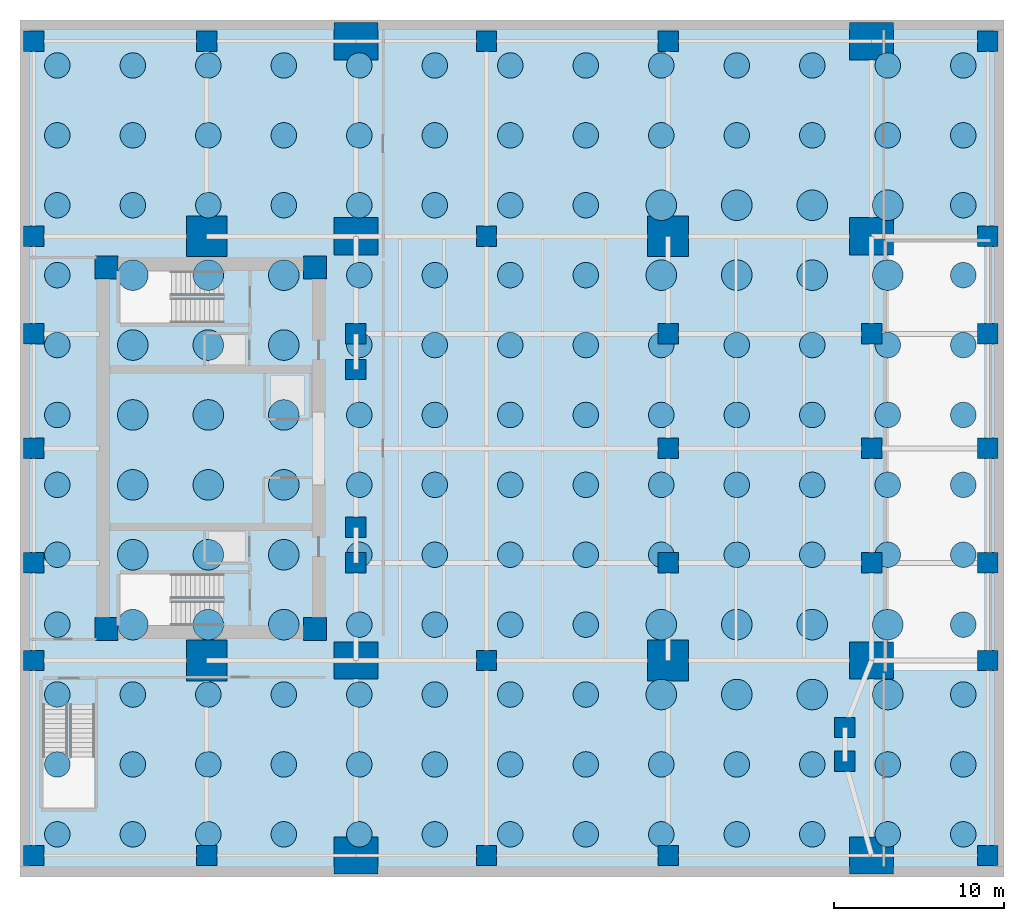
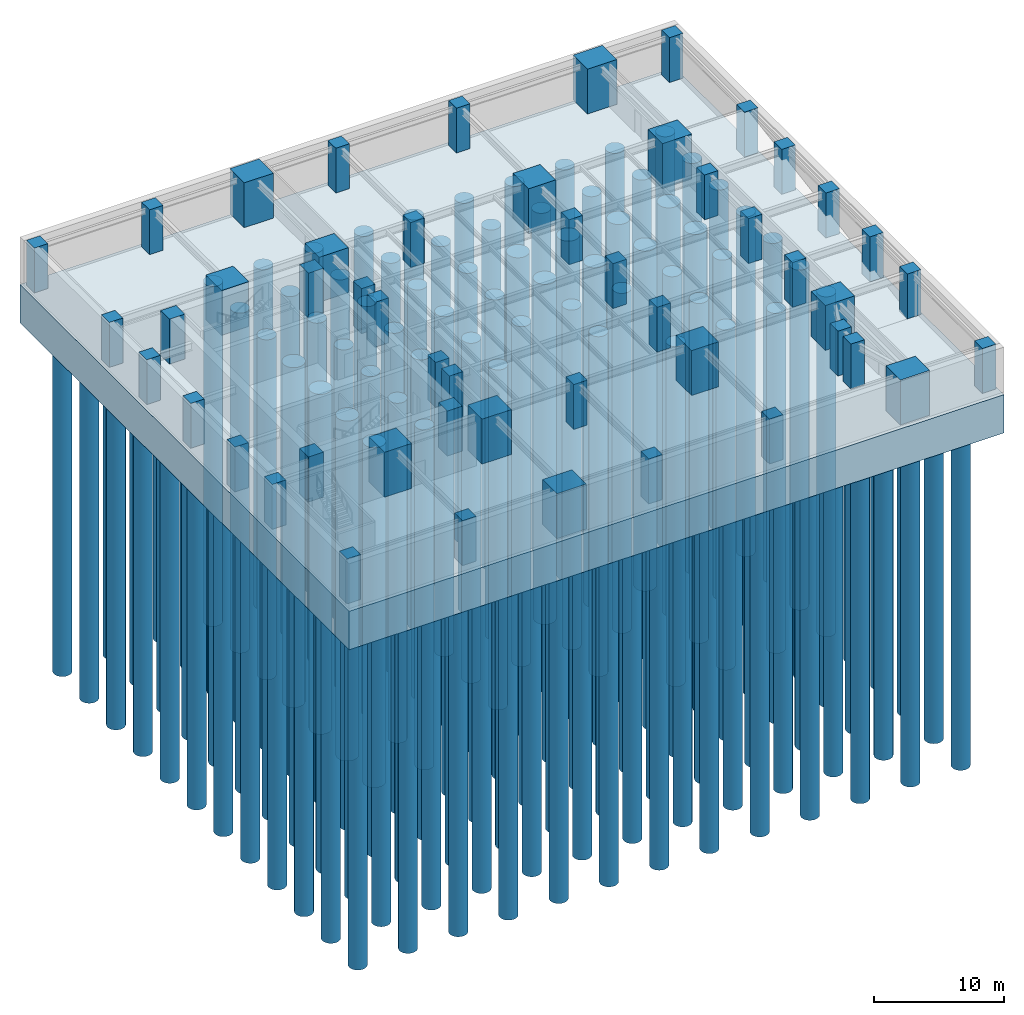
# One storey, part 1 of 6: 156 piles, 50 columns, 1 footing.
"""IFC4 building model written with IfcOpenShell, lengths in metres."""

from ifc_helpers import new_model, si_unit, direction, frame, origin, origin_2d, place, context, subcontext, project, spatial, polyline, rectangle, circle, outline, extrude, material, layer, layer_set, material_profile, profile_set, type_object, element, save


model = new_model("IFC4")

# Units and contexts
model_context = context("Model", 3, precision=1e-05, world=origin(), true_north=direction((0.0, 1.0)))
body_context = subcontext(model_context, "Body", "Model", "MODEL_VIEW")
ifc_project = project(units=[si_unit("LENGTHUNIT", "METRE"), si_unit("AREAUNIT", "SQUARE_METRE"), si_unit("VOLUMEUNIT", "CUBIC_METRE"), si_unit("PLANEANGLEUNIT", "RADIAN"), si_unit("MASSUNIT", "GRAM", prefix="KILO")], contexts=[model_context])

# Site, building, storey
site_placement = place(None, origin())
site = spatial("IfcSite", under=ifc_project, at=site_placement, CompositionType="ELEMENT")
building_placement = place(site_placement, origin())
building = spatial("IfcBuilding", under=site, at=building_placement, Name="Kinhvarn Gate Tower", CompositionType="ELEMENT")
storey_placement = place(building_placement, frame((0.0, 0.0, -13.199951171875)))
storey = spatial("IfcBuildingStorey", under=building, at=storey_placement, Name="B03", CompositionType="ELEMENT", Elevation=-13.199951171875)

# Footing
ifc_material_1 = material(Name="Concrete C50/60", Category="concrete")
ifc_layer = layer(ifc_material_1, 3.60009765625)
ifc_layer_set = layer_set([ifc_layer], Name="Concrete C50/60")
footing_type = type_object("IfcFootingType", Name="FTG-RAFT-3600", PredefinedType="PILE_CAP", material=ifc_layer_set)
footing_placement = place(storey_placement, frame((0.0, 0.0, -3.85009765625)))
element("IfcFooting", 1, at=footing_placement, inside=storey, type_object=footing_type, Name="Piled Raft Foundation Mat RF-MAT1 3600 mm", PredefinedType="PILE_CAP", context=body_context, shape_type="SweptSolid", body=[
    extrude(outline(polyline([(0.0, 0.0), (58.0, 0.0), (58.0, 50.5), (0.0, 50.5), (0.0, 0.0)])), origin(), (0.0, 0.0, 1.0), 3.60009765625),
])

# Piles
ifc_material_2 = material(Name="Concrete C40/50", Category="concrete")
ifc_material_profile_1 = material_profile(ifc_material_2, circle(Radius=0.75, at=origin_2d()), Name="PILE D1500")
ifc_profile_set_1 = profile_set([ifc_material_profile_1], Name="Concrete C40/50")
pile_type_1 = type_object("IfcPileType", Name="PILE-P-1500", PredefinedType="BORED", material=ifc_profile_set_1)
for number, where, z_axis, x_axis, name in (
    (2, (2.199951171875, 2.5, -35.60009765625), (0.0, 0.0, 1.0), (1.0, 0.0, 0.0), "Bored Pile PILE-B03-001 (P-1500)"),
    (3, (2.199951171875, 6.6201171875, -35.60009765625), (0.0, 0.0, 1.0), (1.0, 0.0, 0.0), "Bored Pile PILE-B03-002 (P-1500)"),
    (4, (2.199951171875, 10.739990234375, -35.60009765625), (0.0, 0.0, 1.0), (1.0, 0.0, 0.0), "Bored Pile PILE-B03-003 (P-1500)"),
    (5, (2.199951171875, 14.860107421875, -35.60009765625), (0.0, 0.0, 1.0), (1.0, 0.0, 0.0), "Bored Pile PILE-B03-004 (P-1500)"),
    (6, (2.199951171875, 18.97998046875, -35.60009765625), (0.0, 0.0, 1.0), (1.0, 0.0, 0.0), "Bored Pile PILE-B03-005 (P-1500)"),
    (7, (2.199951171875, 23.10009765625, -35.60009765625), (0.0, 0.0, 1.0), (1.0, 0.0, 0.0), "Bored Pile PILE-B03-006 (P-1500)"),
    (8, (2.199951171875, 27.219970703125, -35.60009765625), (0.0, 0.0, 1.0), (1.0, 0.0, 0.0), "Bored Pile PILE-B03-007 (P-1500)"),
    (9, (2.199951171875, 31.340087890625, -35.60009765625), (0.0, 0.0, 1.0), (1.0, 0.0, 0.0), "Bored Pile PILE-B03-008 (P-1500)"),
    (10, (2.199951171875, 35.4599609375, -35.60009765625), (0.0, 0.0, 1.0), (1.0, 0.0, 0.0), "Bored Pile PILE-B03-009 (P-1500)"),
    (11, (2.199951171875, 39.580078125, -35.60009765625), (0.0, 0.0, 1.0), (1.0, 0.0, 0.0), "Bored Pile PILE-B03-010 (P-1500)"),
    (12, (2.199951171875, 43.699951171875, -35.60009765625), (0.0, 0.0, 1.0), (1.0, 0.0, 0.0), "Bored Pile PILE-B03-011 (P-1500)"),
    (13, (2.199951171875, 47.820068359375, -35.60009765625), (0.0, 0.0, 1.0), (1.0, 0.0, 0.0), "Bored Pile PILE-B03-012 (P-1500)"),
    (14, (6.64990234375, 2.5, -35.60009765625), (0.0, 0.0, 1.0), (1.0, 0.0, 0.0), "Bored Pile PILE-B03-013 (P-1500)"),
    (15, (6.64990234375, 6.6201171875, -35.60009765625), (0.0, 0.0, 1.0), (1.0, 0.0, 0.0), "Bored Pile PILE-B03-014 (P-1500)"),
    (16, (6.64990234375, 10.739990234375, -35.60009765625), (0.0, 0.0, 1.0), (1.0, 0.0, 0.0), "Bored Pile PILE-B03-015 (P-1500)"),
    (17, (6.64990234375, 39.580078125, -35.60009765625), (0.0, 0.0, 1.0), (1.0, 0.0, 0.0), "Bored Pile PILE-B03-022 (P-1500)"),
    (18, (6.64990234375, 43.699951171875, -35.60009765625), (0.0, 0.0, 1.0), (1.0, 0.0, 0.0), "Bored Pile PILE-B03-023 (P-1500)"),
    (19, (6.64990234375, 47.820068359375, -35.60009765625), (0.0, 0.0, 1.0), (1.0, 0.0, 0.0), "Bored Pile PILE-B03-024 (P-1500)"),
    (20, (11.10009765625, 2.5, -35.60009765625), (0.0, 0.0, 1.0), (1.0, 0.0, 0.0), "Bored Pile PILE-B03-025 (P-1500)"),
    (21, (11.10009765625, 6.6201171875, -35.60009765625), (0.0, 0.0, 1.0), (1.0, 0.0, 0.0), "Bored Pile PILE-B03-026 (P-1500)"),
    (22, (11.10009765625, 10.739990234375, -35.60009765625), (0.0, 0.0, 1.0), (1.0, 0.0, 0.0), "Bored Pile PILE-B03-027 (P-1500)"),
    (23, (11.10009765625, 39.580078125, -35.60009765625), (0.0, 0.0, 1.0), (1.0, 0.0, 0.0), "Bored Pile PILE-B03-034 (P-1500)"),
    (24, (11.10009765625, 43.699951171875, -35.60009765625), (0.0, 0.0, 1.0), (1.0, 0.0, 0.0), "Bored Pile PILE-B03-035 (P-1500)"),
    (25, (11.10009765625, 47.820068359375, -35.60009765625), (0.0, 0.0, 1.0), (1.0, 0.0, 0.0), "Bored Pile PILE-B03-036 (P-1500)"),
    (26, (15.550048828125, 2.5, -35.60009765625), (0.0, 0.0, 1.0), (1.0, 0.0, 0.0), "Bored Pile PILE-B03-037 (P-1500)"),
    (27, (15.550048828125, 6.6201171875, -35.60009765625), (0.0, 0.0, 1.0), (1.0, 0.0, 0.0), "Bored Pile PILE-B03-038 (P-1500)"),
    (28, (15.550048828125, 10.739990234375, -35.60009765625), (0.0, 0.0, 1.0), (1.0, 0.0, 0.0), "Bored Pile PILE-B03-039 (P-1500)"),
    (29, (15.550048828125, 39.580078125, -35.60009765625), (0.0, 0.0, 1.0), (1.0, 0.0, 0.0), "Bored Pile PILE-B03-046 (P-1500)"),
    (30, (15.550048828125, 43.699951171875, -35.60009765625), (0.0, 0.0, 1.0), (1.0, 0.0, 0.0), "Bored Pile PILE-B03-047 (P-1500)"),
    (31, (15.550048828125, 47.820068359375, -35.60009765625), (0.0, 0.0, 1.0), (1.0, 0.0, 0.0), "Bored Pile PILE-B03-048 (P-1500)"),
    (32, (20.0, 2.5, -35.60009765625), (0.0, 0.0, 1.0), (1.0, 0.0, 0.0), "Bored Pile PILE-B03-049 (P-1500)"),
    (33, (20.0, 6.6201171875, -35.60009765625), (0.0, 0.0, 1.0), (1.0, 0.0, 0.0), "Bored Pile PILE-B03-050 (P-1500)"),
    (34, (20.0, 10.739990234375, -35.60009765625), (0.0, 0.0, 1.0), (1.0, 0.0, 0.0), "Bored Pile PILE-B03-051 (P-1500)"),
    (35, (20.0, 14.860107421875, -35.60009765625), (0.0, 0.0, 1.0), (1.0, 0.0, 0.0), "Bored Pile PILE-B03-052 (P-1500)"),
    (36, (20.0, 18.97998046875, -35.60009765625), (0.0, 0.0, 1.0), (1.0, 0.0, 0.0), "Bored Pile PILE-B03-053 (P-1500)"),
    (37, (20.0, 23.10009765625, -35.60009765625), (0.0, 0.0, 1.0), (1.0, 0.0, 0.0), "Bored Pile PILE-B03-054 (P-1500)"),
    (38, (20.0, 27.219970703125, -35.60009765625), (0.0, 0.0, 1.0), (1.0, 0.0, 0.0), "Bored Pile PILE-B03-055 (P-1500)"),
    (39, (20.0, 31.340087890625, -35.60009765625), (0.0, 0.0, 1.0), (1.0, 0.0, 0.0), "Bored Pile PILE-B03-056 (P-1500)"),
    (40, (20.0, 35.4599609375, -35.60009765625), (0.0, 0.0, 1.0), (1.0, 0.0, 0.0), "Bored Pile PILE-B03-057 (P-1500)"),
    (41, (20.0, 39.580078125, -35.60009765625), (0.0, 0.0, 1.0), (1.0, 0.0, 0.0), "Bored Pile PILE-B03-058 (P-1500)"),
    (42, (20.0, 43.699951171875, -35.60009765625), (0.0, 0.0, 1.0), (1.0, 0.0, 0.0), "Bored Pile PILE-B03-059 (P-1500)"),
    (43, (20.0, 47.820068359375, -35.60009765625), (0.0, 0.0, 1.0), (1.0, 0.0, 0.0), "Bored Pile PILE-B03-060 (P-1500)"),
    (44, (24.449951171875, 2.5, -35.60009765625), (0.0, 0.0, 1.0), (1.0, 0.0, 0.0), "Bored Pile PILE-B03-061 (P-1500)"),
    (45, (24.449951171875, 6.6201171875, -35.60009765625), (0.0, 0.0, 1.0), (1.0, 0.0, 0.0), "Bored Pile PILE-B03-062 (P-1500)"),
    (46, (24.449951171875, 10.739990234375, -35.60009765625), (0.0, 0.0, 1.0), (1.0, 0.0, 0.0), "Bored Pile PILE-B03-063 (P-1500)"),
    (47, (24.449951171875, 14.860107421875, -35.60009765625), (0.0, 0.0, 1.0), (1.0, 0.0, 0.0), "Bored Pile PILE-B03-064 (P-1500)"),
    (48, (24.449951171875, 18.97998046875, -35.60009765625), (0.0, 0.0, 1.0), (1.0, 0.0, 0.0), "Bored Pile PILE-B03-065 (P-1500)"),
    (49, (24.449951171875, 23.10009765625, -35.60009765625), (0.0, 0.0, 1.0), (1.0, 0.0, 0.0), "Bored Pile PILE-B03-066 (P-1500)"),
    (50, (24.449951171875, 27.219970703125, -35.60009765625), (0.0, 0.0, 1.0), (1.0, 0.0, 0.0), "Bored Pile PILE-B03-067 (P-1500)"),
    (51, (24.449951171875, 31.340087890625, -35.60009765625), (0.0, 0.0, 1.0), (1.0, 0.0, 0.0), "Bored Pile PILE-B03-068 (P-1500)"),
    (52, (24.449951171875, 35.4599609375, -35.60009765625), (0.0, 0.0, 1.0), (1.0, 0.0, 0.0), "Bored Pile PILE-B03-069 (P-1500)"),
    (53, (24.449951171875, 39.580078125, -35.60009765625), (0.0, 0.0, 1.0), (1.0, 0.0, 0.0), "Bored Pile PILE-B03-070 (P-1500)"),
    (54, (24.449951171875, 43.699951171875, -35.60009765625), (0.0, 0.0, 1.0), (1.0, 0.0, 0.0), "Bored Pile PILE-B03-071 (P-1500)"),
    (55, (24.449951171875, 47.820068359375, -35.60009765625), (0.0, 0.0, 1.0), (1.0, 0.0, 0.0), "Bored Pile PILE-B03-072 (P-1500)"),
    (56, (28.89990234375, 2.5, -35.60009765625), (0.0, 0.0, 1.0), (1.0, 0.0, 0.0), "Bored Pile PILE-B03-073 (P-1500)"),
    (57, (28.89990234375, 6.6201171875, -35.60009765625), (0.0, 0.0, 1.0), (1.0, 0.0, 0.0), "Bored Pile PILE-B03-074 (P-1500)"),
    (58, (28.89990234375, 10.739990234375, -35.60009765625), (0.0, 0.0, 1.0), (1.0, 0.0, 0.0), "Bored Pile PILE-B03-075 (P-1500)"),
    (59, (28.89990234375, 14.860107421875, -35.60009765625), (0.0, 0.0, 1.0), (1.0, 0.0, 0.0), "Bored Pile PILE-B03-076 (P-1500)"),
    (60, (28.89990234375, 18.97998046875, -35.60009765625), (0.0, 0.0, 1.0), (1.0, 0.0, 0.0), "Bored Pile PILE-B03-077 (P-1500)"),
    (61, (28.89990234375, 23.10009765625, -35.60009765625), (0.0, 0.0, 1.0), (1.0, 0.0, 0.0), "Bored Pile PILE-B03-078 (P-1500)"),
    (62, (28.89990234375, 27.219970703125, -35.60009765625), (0.0, 0.0, 1.0), (1.0, 0.0, 0.0), "Bored Pile PILE-B03-079 (P-1500)"),
    (63, (28.89990234375, 31.340087890625, -35.60009765625), (0.0, 0.0, 1.0), (1.0, 0.0, 0.0), "Bored Pile PILE-B03-080 (P-1500)"),
    (64, (28.89990234375, 35.4599609375, -35.60009765625), (0.0, 0.0, 1.0), (1.0, 0.0, 0.0), "Bored Pile PILE-B03-081 (P-1500)"),
    (65, (28.89990234375, 39.580078125, -35.60009765625), (0.0, 0.0, 1.0), (1.0, 0.0, 0.0), "Bored Pile PILE-B03-082 (P-1500)"),
    (66, (28.89990234375, 43.699951171875, -35.60009765625), (0.0, 0.0, 1.0), (1.0, 0.0, 0.0), "Bored Pile PILE-B03-083 (P-1500)"),
    (67, (28.89990234375, 47.820068359375, -35.60009765625), (0.0, 0.0, 1.0), (1.0, 0.0, 0.0), "Bored Pile PILE-B03-084 (P-1500)"),
    (68, (33.35009765625, 2.5, -35.60009765625), (0.0, 0.0, 1.0), (1.0, 0.0, 0.0), "Bored Pile PILE-B03-085 (P-1500)"),
    (69, (33.35009765625, 6.6201171875, -35.60009765625), (0.0, 0.0, 1.0), (1.0, 0.0, 0.0), "Bored Pile PILE-B03-086 (P-1500)"),
    (70, (33.35009765625, 10.739990234375, -35.60009765625), (0.0, 0.0, 1.0), (1.0, 0.0, 0.0), "Bored Pile PILE-B03-087 (P-1500)"),
    (71, (33.35009765625, 14.860107421875, -35.60009765625), (0.0, 0.0, 1.0), (1.0, 0.0, 0.0), "Bored Pile PILE-B03-088 (P-1500)"),
    (72, (33.35009765625, 18.97998046875, -35.60009765625), (0.0, 0.0, 1.0), (1.0, 0.0, 0.0), "Bored Pile PILE-B03-089 (P-1500)"),
    (73, (33.35009765625, 23.10009765625, -35.60009765625), (0.0, 0.0, 1.0), (1.0, 0.0, 0.0), "Bored Pile PILE-B03-090 (P-1500)"),
    (74, (33.35009765625, 27.219970703125, -35.60009765625), (0.0, 0.0, 1.0), (1.0, 0.0, 0.0), "Bored Pile PILE-B03-091 (P-1500)"),
    (75, (33.35009765625, 31.340087890625, -35.60009765625), (0.0, 0.0, 1.0), (1.0, 0.0, 0.0), "Bored Pile PILE-B03-092 (P-1500)"),
    (76, (33.35009765625, 35.4599609375, -35.60009765625), (0.0, 0.0, 1.0), (1.0, 0.0, 0.0), "Bored Pile PILE-B03-093 (P-1500)"),
    (77, (33.35009765625, 39.580078125, -35.60009765625), (0.0, 0.0, 1.0), (1.0, 0.0, 0.0), "Bored Pile PILE-B03-094 (P-1500)"),
    (78, (33.35009765625, 43.699951171875, -35.60009765625), (0.0, 0.0, 1.0), (1.0, 0.0, 0.0), "Bored Pile PILE-B03-095 (P-1500)"),
    (79, (33.35009765625, 47.820068359375, -35.60009765625), (0.0, 0.0, 1.0), (1.0, 0.0, 0.0), "Bored Pile PILE-B03-096 (P-1500)"),
    (80, (37.800048828125, 2.5, -35.60009765625), (0.0, 0.0, 1.0), (1.0, 0.0, 0.0), "Bored Pile PILE-B03-097 (P-1500)"),
    (81, (37.800048828125, 6.6201171875, -35.60009765625), (0.0, 0.0, 1.0), (1.0, 0.0, 0.0), "Bored Pile PILE-B03-098 (P-1500)"),
    (82, (37.800048828125, 18.97998046875, -35.60009765625), (0.0, 0.0, 1.0), (1.0, 0.0, 0.0), "Bored Pile PILE-B03-101 (P-1500)"),
    (83, (37.800048828125, 23.10009765625, -35.60009765625), (0.0, 0.0, 1.0), (1.0, 0.0, 0.0), "Bored Pile PILE-B03-102 (P-1500)"),
    (84, (37.800048828125, 27.219970703125, -35.60009765625), (0.0, 0.0, 1.0), (1.0, 0.0, 0.0), "Bored Pile PILE-B03-103 (P-1500)"),
    (85, (37.800048828125, 31.340087890625, -35.60009765625), (0.0, 0.0, 1.0), (1.0, 0.0, 0.0), "Bored Pile PILE-B03-104 (P-1500)"),
    (86, (37.800048828125, 43.699951171875, -35.60009765625), (0.0, 0.0, 1.0), (1.0, 0.0, 0.0), "Bored Pile PILE-B03-107 (P-1500)"),
    (87, (37.800048828125, 47.820068359375, -35.60009765625), (0.0, 0.0, 1.0), (1.0, 0.0, 0.0), "Bored Pile PILE-B03-108 (P-1500)"),
    (88, (42.25, 2.5, -35.60009765625), (0.0, 0.0, 1.0), (1.0, 0.0, 0.0), "Bored Pile PILE-B03-109 (P-1500)"),
    (89, (42.25, 6.6201171875, -35.60009765625), (0.0, 0.0, 1.0), (1.0, 0.0, 0.0), "Bored Pile PILE-B03-110 (P-1500)"),
    (90, (42.25, 18.97998046875, -35.60009765625), (0.0, 0.0, 1.0), (1.0, 0.0, 0.0), "Bored Pile PILE-B03-113 (P-1500)"),
    (91, (42.25, 23.10009765625, -35.60009765625), (0.0, 0.0, 1.0), (1.0, 0.0, 0.0), "Bored Pile PILE-B03-114 (P-1500)"),
    (92, (42.25, 27.219970703125, -35.60009765625), (0.0, 0.0, 1.0), (1.0, 0.0, 0.0), "Bored Pile PILE-B03-115 (P-1500)"),
    (93, (42.25, 31.340087890625, -35.60009765625), (0.0, 0.0, 1.0), (1.0, 0.0, 0.0), "Bored Pile PILE-B03-116 (P-1500)"),
    (94, (42.25, 43.699951171875, -35.60009765625), (0.0, 0.0, 1.0), (1.0, 0.0, 0.0), "Bored Pile PILE-B03-119 (P-1500)"),
    (95, (42.25, 47.820068359375, -35.60009765625), (0.0, 0.0, 1.0), (1.0, 0.0, 0.0), "Bored Pile PILE-B03-120 (P-1500)"),
    (96, (46.699951171875, 2.5, -35.60009765625), (0.0, 0.0, 1.0), (1.0, 0.0, 0.0), "Bored Pile PILE-B03-121 (P-1500)"),
    (97, (46.699951171875, 6.6201171875, -35.60009765625), (0.0, 0.0, 1.0), (1.0, 0.0, 0.0), "Bored Pile PILE-B03-122 (P-1500)"),
    (98, (46.699951171875, 18.97998046875, -35.60009765625), (0.0, 0.0, 1.0), (1.0, 0.0, 0.0), "Bored Pile PILE-B03-125 (P-1500)"),
    (99, (46.699951171875, 23.10009765625, -35.60009765625), (0.0, 0.0, 1.0), (1.0, 0.0, 0.0), "Bored Pile PILE-B03-126 (P-1500)"),
    (100, (46.699951171875, 27.219970703125, -35.60009765625), (0.0, 0.0, 1.0), (1.0, 0.0, 0.0), "Bored Pile PILE-B03-127 (P-1500)"),
    (101, (46.699951171875, 31.340087890625, -35.60009765625), (0.0, 0.0, 1.0), (1.0, 0.0, 0.0), "Bored Pile PILE-B03-128 (P-1500)"),
    (102, (46.699951171875, 43.699951171875, -35.60009765625), (0.0, 0.0, 1.0), (1.0, 0.0, 0.0), "Bored Pile PILE-B03-131 (P-1500)"),
    (103, (46.699951171875, 47.820068359375, -35.60009765625), (0.0, 0.0, 1.0), (1.0, 0.0, 0.0), "Bored Pile PILE-B03-132 (P-1500)"),
    (104, (51.14990234375, 2.5, -35.60009765625), (0.0, 0.0, 1.0), (1.0, 0.0, 0.0), "Bored Pile PILE-B03-133 (P-1500)"),
    (105, (51.14990234375, 6.6201171875, -35.60009765625), (0.0, 0.0, 1.0), (1.0, 0.0, 0.0), "Bored Pile PILE-B03-134 (P-1500)"),
    (106, (51.14990234375, 18.97998046875, -35.60009765625), (0.0, 0.0, 1.0), (1.0, 0.0, 0.0), "Bored Pile PILE-B03-137 (P-1500)"),
    (107, (51.14990234375, 23.10009765625, -35.60009765625), (0.0, 0.0, 1.0), (1.0, 0.0, 0.0), "Bored Pile PILE-B03-138 (P-1500)"),
    (108, (51.14990234375, 27.219970703125, -35.60009765625), (0.0, 0.0, 1.0), (1.0, 0.0, 0.0), "Bored Pile PILE-B03-139 (P-1500)"),
    (109, (51.14990234375, 31.340087890625, -35.60009765625), (0.0, 0.0, 1.0), (1.0, 0.0, 0.0), "Bored Pile PILE-B03-140 (P-1500)"),
    (110, (51.14990234375, 43.699951171875, -35.60009765625), (0.0, 0.0, 1.0), (1.0, 0.0, 0.0), "Bored Pile PILE-B03-143 (P-1500)"),
    (111, (51.14990234375, 47.820068359375, -35.60009765625), (0.0, 0.0, 1.0), (1.0, 0.0, 0.0), "Bored Pile PILE-B03-144 (P-1500)"),
    (112, (55.60009765625, 2.5, -35.60009765625), (0.0, 0.0, 1.0), (1.0, 0.0, 0.0), "Bored Pile PILE-B03-145 (P-1500)"),
    (113, (55.60009765625, 6.6201171875, -35.60009765625), (0.0, 0.0, 1.0), (1.0, 0.0, 0.0), "Bored Pile PILE-B03-146 (P-1500)"),
    (114, (55.60009765625, 10.739990234375, -35.60009765625), (0.0, 0.0, 1.0), (1.0, 0.0, 0.0), "Bored Pile PILE-B03-147 (P-1500)"),
    (115, (55.60009765625, 14.860107421875, -35.60009765625), (0.0, 0.0, 1.0), (1.0, 0.0, 0.0), "Bored Pile PILE-B03-148 (P-1500)"),
    (116, (55.60009765625, 18.97998046875, -35.60009765625), (0.0, 0.0, 1.0), (1.0, 0.0, 0.0), "Bored Pile PILE-B03-149 (P-1500)"),
    (117, (55.60009765625, 23.10009765625, -35.60009765625), (0.0, 0.0, 1.0), (1.0, 0.0, 0.0), "Bored Pile PILE-B03-150 (P-1500)"),
    (118, (55.60009765625, 27.219970703125, -35.60009765625), (0.0, 0.0, 1.0), (1.0, 0.0, 0.0), "Bored Pile PILE-B03-151 (P-1500)"),
    (119, (55.60009765625, 31.340087890625, -35.60009765625), (0.0, 0.0, 1.0), (1.0, 0.0, 0.0), "Bored Pile PILE-B03-152 (P-1500)"),
    (120, (55.60009765625, 35.4599609375, -35.60009765625), (0.0, 0.0, 1.0), (1.0, 0.0, 0.0), "Bored Pile PILE-B03-153 (P-1500)"),
    (121, (55.60009765625, 39.580078125, -35.60009765625), (0.0, 0.0, 1.0), (1.0, 0.0, 0.0), "Bored Pile PILE-B03-154 (P-1500)"),
    (122, (55.60009765625, 43.699951171875, -35.60009765625), (0.0, 0.0, 1.0), (1.0, 0.0, 0.0), "Bored Pile PILE-B03-155 (P-1500)"),
    (123, (55.60009765625, 47.820068359375, -35.60009765625), (0.0, 0.0, 1.0), (1.0, 0.0, 0.0), "Bored Pile PILE-B03-156 (P-1500)"),
):
    element("IfcPile", number, at=place(storey_placement, frame(where, z_axis=z_axis, x_axis=x_axis)), inside=storey, type_object=pile_type_1, Name=name, PredefinedType="BORED", context=body_context, shape_type="SweptSolid", body=[
        extrude(circle(Radius=0.75, at=origin_2d()), origin(), (0.0, 0.0, 1.0), 31.85009765625),
    ])
ifc_material_profile_2 = material_profile(ifc_material_2, circle(Radius=0.89990234375, at=origin_2d()), Name="PILE D1800")
ifc_profile_set_2 = profile_set([ifc_material_profile_2], Name="Concrete C40/50")
pile_type_2 = type_object("IfcPileType", Name="PILE-P-1800", PredefinedType="BORED", material=ifc_profile_set_2)
for number, where, z_axis, x_axis, name in (
    (124, (6.64990234375, 14.860107421875, -35.60009765625), (0.0, 0.0, 1.0), (1.0, 0.0, 0.0), "Bored Pile PILE-B03-016 (P-1800)"),
    (125, (6.64990234375, 18.97998046875, -35.60009765625), (0.0, 0.0, 1.0), (1.0, 0.0, 0.0), "Bored Pile PILE-B03-017 (P-1800)"),
    (126, (6.64990234375, 23.10009765625, -35.60009765625), (0.0, 0.0, 1.0), (1.0, 0.0, 0.0), "Bored Pile PILE-B03-018 (P-1800)"),
    (127, (6.64990234375, 27.219970703125, -35.60009765625), (0.0, 0.0, 1.0), (1.0, 0.0, 0.0), "Bored Pile PILE-B03-019 (P-1800)"),
    (128, (6.64990234375, 31.340087890625, -35.60009765625), (0.0, 0.0, 1.0), (1.0, 0.0, 0.0), "Bored Pile PILE-B03-020 (P-1800)"),
    (129, (6.64990234375, 35.4599609375, -35.60009765625), (0.0, 0.0, 1.0), (1.0, 0.0, 0.0), "Bored Pile PILE-B03-021 (P-1800)"),
    (130, (11.10009765625, 14.860107421875, -35.60009765625), (0.0, 0.0, 1.0), (1.0, 0.0, 0.0), "Bored Pile PILE-B03-028 (P-1800)"),
    (131, (11.10009765625, 18.97998046875, -35.60009765625), (0.0, 0.0, 1.0), (1.0, 0.0, 0.0), "Bored Pile PILE-B03-029 (P-1800)"),
    (132, (11.10009765625, 23.10009765625, -35.60009765625), (0.0, 0.0, 1.0), (1.0, 0.0, 0.0), "Bored Pile PILE-B03-030 (P-1800)"),
    (133, (11.10009765625, 27.219970703125, -35.60009765625), (0.0, 0.0, 1.0), (1.0, 0.0, 0.0), "Bored Pile PILE-B03-031 (P-1800)"),
    (134, (11.10009765625, 31.340087890625, -35.60009765625), (0.0, 0.0, 1.0), (1.0, 0.0, 0.0), "Bored Pile PILE-B03-032 (P-1800)"),
    (135, (11.10009765625, 35.4599609375, -35.60009765625), (0.0, 0.0, 1.0), (1.0, 0.0, 0.0), "Bored Pile PILE-B03-033 (P-1800)"),
    (136, (15.550048828125, 14.860107421875, -35.60009765625), (0.0, 0.0, 1.0), (1.0, 0.0, 0.0), "Bored Pile PILE-B03-040 (P-1800)"),
    (137, (15.550048828125, 18.97998046875, -35.60009765625), (0.0, 0.0, 1.0), (1.0, 0.0, 0.0), "Bored Pile PILE-B03-041 (P-1800)"),
    (138, (15.550048828125, 23.10009765625, -35.60009765625), (0.0, 0.0, 1.0), (1.0, 0.0, 0.0), "Bored Pile PILE-B03-042 (P-1800)"),
    (139, (15.550048828125, 27.219970703125, -35.60009765625), (0.0, 0.0, 1.0), (1.0, 0.0, 0.0), "Bored Pile PILE-B03-043 (P-1800)"),
    (140, (15.550048828125, 31.340087890625, -35.60009765625), (0.0, 0.0, 1.0), (1.0, 0.0, 0.0), "Bored Pile PILE-B03-044 (P-1800)"),
    (141, (15.550048828125, 35.4599609375, -35.60009765625), (0.0, 0.0, 1.0), (1.0, 0.0, 0.0), "Bored Pile PILE-B03-045 (P-1800)"),
    (142, (37.800048828125, 10.739990234375, -35.60009765625), (0.0, 0.0, 1.0), (1.0, 0.0, 0.0), "Bored Pile PILE-B03-099 (P-1800)"),
    (143, (37.800048828125, 14.860107421875, -35.60009765625), (0.0, 0.0, 1.0), (1.0, 0.0, 0.0), "Bored Pile PILE-B03-100 (P-1800)"),
    (144, (37.800048828125, 35.4599609375, -35.60009765625), (0.0, 0.0, 1.0), (1.0, 0.0, 0.0), "Bored Pile PILE-B03-105 (P-1800)"),
    (145, (37.800048828125, 39.580078125, -35.60009765625), (0.0, 0.0, 1.0), (1.0, 0.0, 0.0), "Bored Pile PILE-B03-106 (P-1800)"),
    (146, (42.25, 10.739990234375, -35.60009765625), (0.0, 0.0, 1.0), (1.0, 0.0, 0.0), "Bored Pile PILE-B03-111 (P-1800)"),
    (147, (42.25, 14.860107421875, -35.60009765625), (0.0, 0.0, 1.0), (1.0, 0.0, 0.0), "Bored Pile PILE-B03-112 (P-1800)"),
    (148, (42.25, 35.4599609375, -35.60009765625), (0.0, 0.0, 1.0), (1.0, 0.0, 0.0), "Bored Pile PILE-B03-117 (P-1800)"),
    (149, (42.25, 39.580078125, -35.60009765625), (0.0, 0.0, 1.0), (1.0, 0.0, 0.0), "Bored Pile PILE-B03-118 (P-1800)"),
    (150, (46.699951171875, 10.739990234375, -35.60009765625), (0.0, 0.0, 1.0), (1.0, 0.0, 0.0), "Bored Pile PILE-B03-123 (P-1800)"),
    (151, (46.699951171875, 14.860107421875, -35.60009765625), (0.0, 0.0, 1.0), (1.0, 0.0, 0.0), "Bored Pile PILE-B03-124 (P-1800)"),
    (152, (46.699951171875, 35.4599609375, -35.60009765625), (0.0, 0.0, 1.0), (1.0, 0.0, 0.0), "Bored Pile PILE-B03-129 (P-1800)"),
    (153, (46.699951171875, 39.580078125, -35.60009765625), (0.0, 0.0, 1.0), (1.0, 0.0, 0.0), "Bored Pile PILE-B03-130 (P-1800)"),
    (154, (51.14990234375, 10.739990234375, -35.60009765625), (0.0, 0.0, 1.0), (1.0, 0.0, 0.0), "Bored Pile PILE-B03-135 (P-1800)"),
    (155, (51.14990234375, 14.860107421875, -35.60009765625), (0.0, 0.0, 1.0), (1.0, 0.0, 0.0), "Bored Pile PILE-B03-136 (P-1800)"),
    (156, (51.14990234375, 35.4599609375, -35.60009765625), (0.0, 0.0, 1.0), (1.0, 0.0, 0.0), "Bored Pile PILE-B03-141 (P-1800)"),
    (157, (51.14990234375, 39.580078125, -35.60009765625), (0.0, 0.0, 1.0), (1.0, 0.0, 0.0), "Bored Pile PILE-B03-142 (P-1800)"),
):
    element("IfcPile", number, at=place(storey_placement, frame(where, z_axis=z_axis, x_axis=x_axis)), inside=storey, type_object=pile_type_2, Name=name, PredefinedType="BORED", context=body_context, shape_type="SweptSolid", body=[
        extrude(circle(Radius=0.89990234375, at=origin_2d()), origin(), (0.0, 0.0, 1.0), 31.85009765625),
    ])

# Columns
ifc_material_3 = material(Name="Concrete C70/85", Category="concrete")
ifc_material_profile_3 = material_profile(ifc_material_3, rectangle(XDim=2.60009765625, YDim=2.199951171875, at=origin_2d()), Name="RC 2600x2200")
ifc_profile_set_3 = profile_set([ifc_material_profile_3], Name="Concrete C70/85")
column_type_1 = type_object("IfcColumnType", Name="COL-AP-2600", PredefinedType="COLUMN", material=ifc_profile_set_3)
for number, where, z_axis, x_axis, name in (
    (158, (19.800048828125, 1.25, 0.0), (0.0, 0.0, 1.0), (1.0, 0.0, 0.0), "Column APW-1-B03 (AP-01)"),
    (159, (50.199951171875, 1.25, 0.0), (0.0, 0.0, 1.0), (1.0, 0.0, 0.0), "Column APE-1-B03 (AP-01)"),
    (160, (19.800048828125, 12.75, 0.0), (0.0, 0.0, 1.0), (1.0, 0.0, 0.0), "Column APW-2-B03 (AP-01)"),
    (161, (50.199951171875, 12.75, 0.0), (0.0, 0.0, 1.0), (1.0, 0.0, 0.0), "Column APE-2-B03 (AP-01)"),
    (162, (19.800048828125, 37.75, 0.0), (0.0, 0.0, 1.0), (1.0, 0.0, 0.0), "Column APW-3-B03 (AP-01)"),
    (163, (50.199951171875, 37.75, 0.0), (0.0, 0.0, 1.0), (1.0, 0.0, 0.0), "Column APE-3-B03 (AP-01)"),
    (164, (19.800048828125, 49.25, 0.0), (0.0, 0.0, 1.0), (1.0, 0.0, 0.0), "Column APW-4-B03 (AP-01)"),
    (165, (50.199951171875, 49.25, 0.0), (0.0, 0.0, 1.0), (1.0, 0.0, 0.0), "Column APE-4-B03 (AP-01)"),
):
    element("IfcColumn", number, at=place(storey_placement, frame(where, z_axis=z_axis, x_axis=x_axis)), inside=storey, type_object=column_type_1, Name=name, PredefinedType="COLUMN", context=body_context, shape_type="SweptSolid", body=[
        extrude(rectangle(XDim=2.60009765625, YDim=2.199951171875, at=origin_2d()), origin(), (0.0, 0.0, 1.0), 4.199951171875),
    ])
ifc_material_profile_4 = material_profile(ifc_material_3, rectangle(XDim=2.39990234375, YDim=2.39990234375, at=origin_2d()), Name="RC 2400x2400")
ifc_profile_set_4 = profile_set([ifc_material_profile_4], Name="Concrete C70/85")
column_type_2 = type_object("IfcColumnType", Name="COL-MC-2400", PredefinedType="COLUMN", material=ifc_profile_set_4)
for number, where, z_axis, x_axis, name in (
    (166, (11.0, 12.75, 0.0), (0.0, 0.0, 1.0), (1.0, 0.0, 0.0), "Column MC1-B03 (MC-24)"),
    (167, (11.0, 37.75, 0.0), (0.0, 0.0, 1.0), (1.0, 0.0, 0.0), "Column MC4-B03 (MC-24)"),
    (168, (38.199951171875, 12.75, 0.0), (0.0, 0.0, 1.0), (1.0, 0.0, 0.0), "Column MC2-B03 (MC-24)"),
    (169, (38.199951171875, 37.75, 0.0), (0.0, 0.0, 1.0), (1.0, 0.0, 0.0), "Column MC3-B03 (MC-24)"),
):
    element("IfcColumn", number, at=place(storey_placement, frame(where, z_axis=z_axis, x_axis=x_axis)), inside=storey, type_object=column_type_2, Name=name, PredefinedType="COLUMN", context=body_context, shape_type="SweptSolid", body=[
        extrude(rectangle(XDim=2.39990234375, YDim=2.39990234375, at=origin_2d()), origin(), (0.0, 0.0, 1.0), 4.199951171875),
    ])
ifc_material_4 = material(Name="Concrete C60/75", Category="concrete")
ifc_material_profile_5 = material_profile(ifc_material_4, rectangle(XDim=1.199951171875, YDim=1.199951171875, at=origin_2d()), Name="RC 1200x1200")
ifc_profile_set_5 = profile_set([ifc_material_profile_5], Name="Concrete C60/75")
column_type_3 = type_object("IfcColumnType", Name="COL-RC-1200", PredefinedType="COLUMN", material=ifc_profile_set_5)
for number, where, z_axis, x_axis, name in (
    (170, (27.5, 12.75, 0.0), (0.0, 0.0, 1.0), (1.0, 0.0, 0.0), "Column SP27-S-B03 (C-120)"),
    (171, (27.5, 37.75, 0.0), (0.0, 0.0, 1.0), (1.0, 0.0, 0.0), "Column SP27-N-B03 (C-120)"),
    (172, (38.199951171875, 18.5, 0.0), (0.0, 0.0, 1.0), (1.0, 0.0, 0.0), "Column SP38-E1-B03 (C-120)"),
    (173, (38.199951171875, 25.25, 0.0), (0.0, 0.0, 1.0), (1.0, 0.0, 0.0), "Column SP38-E2-B03 (C-120)"),
    (174, (38.199951171875, 32.0, 0.0), (0.0, 0.0, 1.0), (1.0, 0.0, 0.0), "Column SP38-E3-B03 (C-120)"),
    (175, (19.800048828125, 18.5, 0.0), (0.0, 0.0, 1.0), (1.0, 0.0, 0.0), "Column APW-M1-B03 (C-120)"),
    (176, (19.800048828125, 20.60009765625, 0.0), (0.0, 0.0, 1.0), (1.0, 0.0, 0.0), "Column APW-M2-B03 (C-120)"),
    (177, (19.800048828125, 29.89990234375, 0.0), (0.0, 0.0, 1.0), (1.0, 0.0, 0.0), "Column APW-M3-B03 (C-120)"),
    (178, (19.800048828125, 32.0, 0.0), (0.0, 0.0, 1.0), (1.0, 0.0, 0.0), "Column APW-M4-B03 (C-120)"),
    (179, (50.199951171875, 18.5, 0.0), (0.0, 0.0, 1.0), (1.0, 0.0, 0.0), "Column APE-M1-B03 (C-120)"),
    (180, (50.199951171875, 25.25, 0.0), (0.0, 0.0, 1.0), (1.0, 0.0, 0.0), "Column APE-M2-B03 (C-120)"),
    (181, (50.199951171875, 32.0, 0.0), (0.0, 0.0, 1.0), (1.0, 0.0, 0.0), "Column APE-M3-B03 (C-120)"),
    (182, (0.800048828125, 1.25, 0.0), (0.0, 0.0, 1.0), (1.0, 0.0, 0.0), "Column PW-1-B03 (C-120)"),
    (183, (57.050048828125, 1.25, 0.0), (0.0, 0.0, 1.0), (1.0, 0.0, 0.0), "Column PE-1-B03 (C-120)"),
    (184, (0.800048828125, 12.75, 0.0), (0.0, 0.0, 1.0), (1.0, 0.0, 0.0), "Column PW-2-B03 (C-120)"),
    (185, (57.050048828125, 12.75, 0.0), (0.0, 0.0, 1.0), (1.0, 0.0, 0.0), "Column PE-2-B03 (C-120)"),
    (186, (0.800048828125, 18.5, 0.0), (0.0, 0.0, 1.0), (1.0, 0.0, 0.0), "Column PW-3-B03 (C-120)"),
    (187, (57.050048828125, 18.5, 0.0), (0.0, 0.0, 1.0), (1.0, 0.0, 0.0), "Column PE-3-B03 (C-120)"),
    (188, (0.800048828125, 25.25, 0.0), (0.0, 0.0, 1.0), (1.0, 0.0, 0.0), "Column PW-4-B03 (C-120)"),
    (189, (57.050048828125, 25.25, 0.0), (0.0, 0.0, 1.0), (1.0, 0.0, 0.0), "Column PE-4-B03 (C-120)"),
    (190, (0.800048828125, 32.0, 0.0), (0.0, 0.0, 1.0), (1.0, 0.0, 0.0), "Column PW-5-B03 (C-120)"),
    (191, (57.050048828125, 32.0, 0.0), (0.0, 0.0, 1.0), (1.0, 0.0, 0.0), "Column PE-5-B03 (C-120)"),
    (192, (0.800048828125, 37.75, 0.0), (0.0, 0.0, 1.0), (1.0, 0.0, 0.0), "Column PW-6-B03 (C-120)"),
    (193, (57.050048828125, 37.75, 0.0), (0.0, 0.0, 1.0), (1.0, 0.0, 0.0), "Column PE-6-B03 (C-120)"),
    (194, (0.800048828125, 49.25, 0.0), (0.0, 0.0, 1.0), (1.0, 0.0, 0.0), "Column PW-7-B03 (C-120)"),
    (195, (57.050048828125, 49.25, 0.0), (0.0, 0.0, 1.0), (1.0, 0.0, 0.0), "Column PE-7-B03 (C-120)"),
    (196, (11.0, 1.25, 0.0), (0.0, 0.0, 1.0), (1.0, 0.0, 0.0), "Column P11-S-B03 (C-120)"),
    (197, (11.0, 49.25, 0.0), (0.0, 0.0, 1.0), (1.0, 0.0, 0.0), "Column P11-N-B03 (C-120)"),
    (198, (48.6201171875, 6.800048828125, 0.0), (0.0, 0.0, 1.0), (1.0, 0.0, 0.0), "Column CS-SE1-B03 (C-120)"),
    (199, (48.6201171875, 8.800048828125, 0.0), (0.0, 0.0, 1.0), (1.0, 0.0, 0.0), "Column CS-SE1B-B03 (C-120)"),
    (200, (27.5, 1.25, 0.0), (0.0, 0.0, 1.0), (1.0, 0.0, 0.0), "Column B27-S-B03 (C-120)"),
    (201, (38.199951171875, 1.25, 0.0), (0.0, 0.0, 1.0), (1.0, 0.0, 0.0), "Column B38-S-B03 (C-120)"),
    (202, (27.5, 49.25, 0.0), (0.0, 0.0, 1.0), (1.0, 0.0, 0.0), "Column B27-N-B03 (C-120)"),
    (203, (38.199951171875, 49.25, 0.0), (0.0, 0.0, 1.0), (1.0, 0.0, 0.0), "Column B38-N-B03 (C-120)"),
):
    element("IfcColumn", number, at=place(storey_placement, frame(where, z_axis=z_axis, x_axis=x_axis)), inside=storey, type_object=column_type_3, Name=name, PredefinedType="COLUMN", context=body_context, shape_type="SweptSolid", body=[
        extrude(rectangle(XDim=1.199951171875, YDim=1.199951171875, at=origin_2d()), origin(), (0.0, 0.0, 1.0), 4.199951171875),
    ])
ifc_material_profile_6 = material_profile(ifc_material_3, rectangle(XDim=1.35009765625, YDim=1.35009765625, at=origin_2d()), Name="RC 1350x1350")
ifc_profile_set_6 = profile_set([ifc_material_profile_6], Name="Concrete C70/85")
column_type_4 = type_object("IfcColumnType", Name="PIL-RC-1350", PredefinedType="PILASTER", material=ifc_profile_set_6)
for number, where, z_axis, x_axis, name in (
    (204, (5.10009765625, 14.60009765625, 0.0), (0.0, 0.0, 1.0), (1.0, 0.0, 0.0), "Column CC-SW-B03 (CP-135)"),
    (205, (5.10009765625, 35.89990234375, 0.0), (0.0, 0.0, 1.0), (1.0, 0.0, 0.0), "Column CC-NW-B03 (CP-135)"),
    (206, (17.39990234375, 14.60009765625, 0.0), (0.0, 0.0, 1.0), (1.0, 0.0, 0.0), "Column CC-SE-B03 (CP-135)"),
    (207, (17.39990234375, 35.89990234375, 0.0), (0.0, 0.0, 1.0), (1.0, 0.0, 0.0), "Column CC-NE-B03 (CP-135)"),
):
    element("IfcColumn", number, at=place(storey_placement, frame(where, z_axis=z_axis, x_axis=x_axis)), inside=storey, type_object=column_type_4, Name=name, PredefinedType="PILASTER", context=body_context, shape_type="SweptSolid", body=[
        extrude(rectangle(XDim=1.35009765625, YDim=1.35009765625, at=origin_2d()), origin(), (0.0, 0.0, 1.0), 4.199951171875),
    ])

save(model, "model.ifc")
